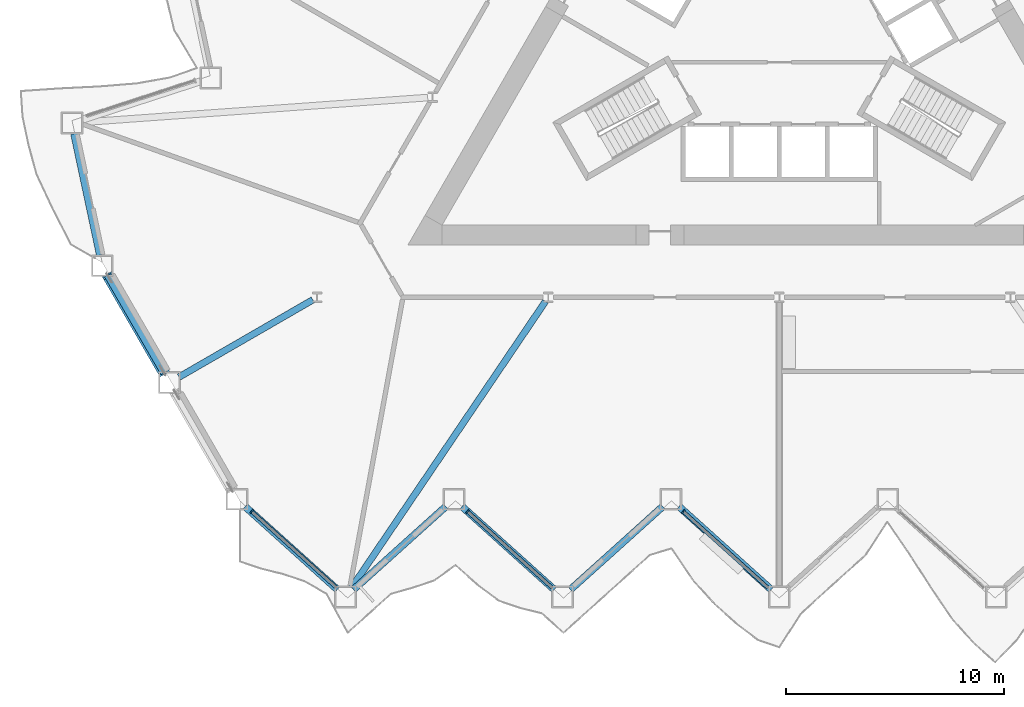
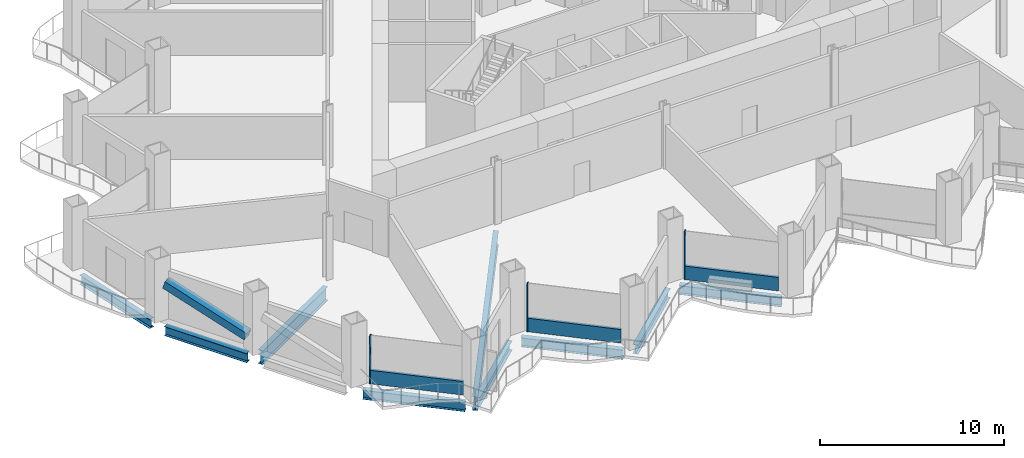
# One storey, part 2 of 21: 9 beams, 7 members, 3 elements without a shape of their own.
"""IFC4 building model written with IfcOpenShell, lengths in metres."""

from ifc_helpers import new_model, si_unit, direction, frame, origin, origin_2d, place, context, subcontext, project, spatial, rectangle, hollow_rectangle, i_section, extrude, material, layer, layer_set, material_profile, profile_set, type_object, element, aggregate, save


model = new_model("IFC4")

# Units and contexts
model_context = context("Model", 3, precision=1e-05, world=origin(), true_north=direction((0.0, 1.0)))
body_context = subcontext(model_context, "Body", "Model", "MODEL_VIEW")
ifc_project = project(units=[si_unit("LENGTHUNIT", "METRE"), si_unit("AREAUNIT", "SQUARE_METRE"), si_unit("VOLUMEUNIT", "CUBIC_METRE"), si_unit("PLANEANGLEUNIT", "RADIAN"), si_unit("MASSUNIT", "GRAM", prefix="KILO")], contexts=[model_context])

# Site, building, storey
site_placement = place(None, origin())
site = spatial("IfcSite", under=ifc_project, at=site_placement, CompositionType="ELEMENT")
building_placement = place(site_placement, origin())
building = spatial("IfcBuilding", under=site, at=building_placement, Name="Cormorant Prow Tower", CompositionType="ELEMENT")
storey_placement = place(building_placement, frame((0.0, 0.0, 80.39990234375)))
storey = spatial("IfcBuildingStorey", under=building, at=storey_placement, Name="L17", CompositionType="ELEMENT", Elevation=80.39990234375)

# Member
ifc_material_1 = material(Name="Structural steel ASTM A500 Gr C", Category="steel")
ifc_material_profile_1 = material_profile(ifc_material_1, hollow_rectangle(XDim=0.508056640625, YDim=0.508056640625, WallThickness=0.014892578125, at=origin_2d()), Name="HSS20x20x5/8")
ifc_profile_set_1 = profile_set([ifc_material_profile_1], Name="Structural steel ASTM A500 Gr C")
member_type_1 = type_object("IfcMemberType", Name="Chamfer brace HSS20x20x5/8", PredefinedType="BRACE", material=ifc_profile_set_1)
member_1_placement = place(storey_placement, frame((-28.174560546875, -15.667724609375, 0.767333984375), z_axis=(-0.475875326044, 0.824258984489, 0.306822099191), x_axis=(-0.866030326616, -0.499991473309, 0.0)))
element("IfcMember", 1, at=member_1_placement, inside=storey, type_object=member_type_1, Name="Chamfer brace BR1 at WSW00 L17", PredefinedType="BRACE", context=body_context, shape_type="SweptSolid", body=[
    extrude(hollow_rectangle(XDim=0.508056640625, YDim=0.508056640625, WallThickness=0.014892578125, at=origin_2d()), origin(), (0.0, 0.0, 1.0), 5.392578125),
])

# Curtain wall, member
ifc_material_2 = material(Name="Aluminium 6063-T6", Category="aluminium")
ifc_layer = layer(ifc_material_2, 0.199951171875)
ifc_layer_set = layer_set([ifc_layer], Name="Aluminium 6063-T6")
curtain_wall_type = type_object("IfcCurtainWallType", Name="Office unitised curtain wall 200", PredefinedType="NOTDEFINED", material=ifc_layer_set)
curtain_wall_1_placement = place(storey_placement, origin())
curtain_wall_1 = element("IfcCurtainWall", 2, at=curtain_wall_1_placement, inside=storey, type_object=curtain_wall_type, Name="Office curtain wall S00", PredefinedType="NOTDEFINED")
ifc_material_3 = material(Name="Aluminium 6063-T6", Category="aluminium")
ifc_material_profile_2 = material_profile(ifc_material_3, rectangle(XDim=0.199951171875, YDim=0.06005859375, at=origin_2d()), Name="Office mullion 60x200")
ifc_profile_set_2 = profile_set([ifc_material_profile_2], Name="Aluminium 6063-T6")
member_type_2 = type_object("IfcMemberType", Name="Office mullion 60x200", PredefinedType="MULLION", material=ifc_profile_set_2)
member_2_placement = place(storey_placement, frame((-24.157470703125, -22.0244140625, 0.0), z_axis=(0.0, 0.0, 1.0), x_axis=(0.669130618499, 0.743144814546, 0.0)))
member_2 = element("IfcMember", 3, at=member_2_placement, type_object=member_type_2, Name="Office mullion S00", PredefinedType="MULLION", context=body_context, shape_type="SweptSolid", body=[
    extrude(rectangle(XDim=0.199951171875, YDim=0.06005859375, at=origin_2d()), origin(), (0.0, 0.0, 1.0), 3.18896484375),
])

curtain_wall_2_placement = place(storey_placement, origin())
curtain_wall_2 = element("IfcCurtainWall", 4, at=curtain_wall_2_placement, inside=storey, type_object=curtain_wall_type, Name="Office curtain wall S02", PredefinedType="NOTDEFINED")
member_3_placement = place(storey_placement, frame((-14.276611328125, -22.0244140625, 0.0), z_axis=(0.0, 0.0, 1.0), x_axis=(0.669130618499, 0.743144814546, 0.0)))
member_3 = element("IfcMember", 5, at=member_3_placement, type_object=member_type_2, Name="Office mullion S02", PredefinedType="MULLION", context=body_context, shape_type="SweptSolid", body=[
    extrude(rectangle(XDim=0.199951171875, YDim=0.06005859375, at=origin_2d()), origin(), (0.0, 0.0, 1.0), 3.18896484375),
])

curtain_wall_3_placement = place(storey_placement, origin())
curtain_wall_3 = element("IfcCurtainWall", 6, at=curtain_wall_3_placement, inside=storey, type_object=curtain_wall_type, Name="Office curtain wall S04", PredefinedType="NOTDEFINED")
member_4_placement = place(storey_placement, frame((-4.395751953125, -22.0244140625, 0.0), z_axis=(0.0, 0.0, 1.0), x_axis=(0.669130618499, 0.743144814546, 0.0)))
member_4 = element("IfcMember", 7, at=member_4_placement, type_object=member_type_2, Name="Office mullion S04", PredefinedType="MULLION", context=body_context, shape_type="SweptSolid", body=[
    extrude(rectangle(XDim=0.199951171875, YDim=0.06005859375, at=origin_2d()), origin(), (0.0, 0.0, 1.0), 3.18896484375),
])

# Member
ifc_material_4 = material(Name="Terracotta", Category="masonry")
ifc_material_profile_3 = material_profile(ifc_material_4, rectangle(XDim=0.159912109375, YDim=0.89990234375, at=origin_2d()), Name="Office terracotta spandrel rail 160x900")
ifc_profile_set_3 = profile_set([ifc_material_profile_3], Name="Terracotta")
member_type_3 = type_object("IfcMemberType", Name="Office terracotta spandrel rail 160x900", PredefinedType="USERDEFINED", material=ifc_profile_set_3)
member_5_placement = place(storey_placement, frame((-24.13525390625, -22.04443359375, 0.4501953125), z_axis=(0.743144202198, -0.669131298581, 0.0), x_axis=(0.669131298581, 0.743144202198, 0.0)))
member_5 = element("IfcMember", 8, at=member_5_placement, type_object=member_type_3, Name="Office spandrel rail S00", ObjectType="TRANSOM", PredefinedType="USERDEFINED", context=body_context, shape_type="SweptSolid", body=[
    extrude(rectangle(XDim=0.159912109375, YDim=0.89990234375, at=origin_2d()), origin(), (0.0, 0.0, 1.0), 5.18212890625),
])

aggregate(curtain_wall_1, [member_2, member_5])

member_6_placement = place(storey_placement, frame((-14.25439453125, -22.04443359375, 0.4501953125), z_axis=(0.743144202198, -0.669131298581, 0.0), x_axis=(0.669131298581, 0.743144202198, 0.0)))
member_6 = element("IfcMember", 9, at=member_6_placement, type_object=member_type_3, Name="Office spandrel rail S02", ObjectType="TRANSOM", PredefinedType="USERDEFINED", context=body_context, shape_type="SweptSolid", body=[
    extrude(rectangle(XDim=0.159912109375, YDim=0.89990234375, at=origin_2d()), origin(), (0.0, 0.0, 1.0), 5.18212890625),
])

aggregate(curtain_wall_2, [member_3, member_6])

member_7_placement = place(storey_placement, frame((-4.37353515625, -22.04443359375, 0.4501953125), z_axis=(0.743144202198, -0.669131298581, 0.0), x_axis=(0.669131298581, 0.743144202198, 0.0)))
member_7 = element("IfcMember", 10, at=member_7_placement, type_object=member_type_3, Name="Office spandrel rail S04", ObjectType="TRANSOM", PredefinedType="USERDEFINED", context=body_context, shape_type="SweptSolid", body=[
    extrude(rectangle(XDim=0.159912109375, YDim=0.89990234375, at=origin_2d()), origin(), (0.0, 0.0, 1.0), 5.18212890625),
])

aggregate(curtain_wall_3, [member_4, member_7])

# Beams
ifc_material_5 = material(Name="Structural steel ASTM A992 Gr 50", Category="steel")
ifc_material_profile_4 = material_profile(ifc_material_5, i_section(OverallWidth=0.3046875, OverallDepth=0.914794921875, WebThickness=0.0166015625, FlangeThickness=0.02587890625, at=origin_2d()), Name="W36x160")
ifc_profile_set_4 = profile_set([ifc_material_profile_4], Name="Structural steel ASTM A992 Gr 50")
beam_type_1 = type_object("IfcBeamType", Name="Radial floor beam W36x160", PredefinedType="BEAM", material=ifc_profile_set_4)
beam_1_placement = place(storey_placement, frame((-21.358154296875, -12.3310546875, -0.857177734375), z_axis=(-0.866014253463, -0.500019312426, 0.0), x_axis=(0.500019312426, -0.866014253463, 0.0)))
element("IfcBeam", 11, at=beam_1_placement, inside=storey, type_object=beam_type_1, Name="Radial floor beam FB1 5 L17", PredefinedType="BEAM", context=body_context, shape_type="SweptSolid", body=[
    extrude(i_section(OverallWidth=0.3046875, OverallDepth=0.914794921875, WebThickness=0.0166015625, FlangeThickness=0.02587890625, at=origin_2d()), origin(), (0.0, 0.0, 1.0), 7.071533203125),
])
beam_2_placement = place(storey_placement, frame((-10.708740234375, -12.4072265625, -0.857177734375), z_axis=(-0.560597160775, -0.828088656685, 0.0), x_axis=(0.828088656685, -0.560597160775, 0.0)))
element("IfcBeam", 12, at=beam_2_placement, inside=storey, type_object=beam_type_1, Name="Radial floor beam FB1 6 L17", PredefinedType="BEAM", context=body_context, shape_type="SweptSolid", body=[
    extrude(i_section(OverallWidth=0.3046875, OverallDepth=0.914794921875, WebThickness=0.0166015625, FlangeThickness=0.02587890625, at=origin_2d()), origin(), (0.0, 0.0, 1.0), 15.831787109375),
])
ifc_material_6 = material(Name="Structural steel ASTM A992 Gr 50", Category="steel")
ifc_material_profile_5 = material_profile(ifc_material_6, i_section(OverallWidth=0.32373046875, OverallDepth=0.611083984375, WebThickness=0.0126953125, FlangeThickness=0.01904296875, at=origin_2d()), Name="W24x104")
ifc_profile_set_5 = profile_set([ifc_material_profile_5], Name="Structural steel ASTM A992 Gr 50")
beam_type_2 = type_object("IfcBeamType", Name="Spandrel beam W24x104", PredefinedType="SPANDREL", material=ifc_profile_set_5)
for number, where, z_axis, x_axis, name in (
    (13, (-24.458740234375, -21.79443359375, -0.70556640625), (0.743129630386, -0.669147481833, 0.0), (0.669147481833, 0.743129630386, 0.0), "Spandrel beam SB1 S00-S01 L17"),
    (14, (-19.49267578125, -25.596923828125, -0.70556640625), (0.743129630386, 0.669147481833, 0.0), (-0.669147481833, 0.743129630386, 0.0), "Spandrel beam SB1 S01-S02 L17"),
    (15, (-14.526611328125, -21.79443359375, -0.70556640625), (0.743129630386, -0.669147481833, 0.0), (0.669147481833, 0.743129630386, 0.0), "Spandrel beam SB1 S02-S03 L17"),
    (16, (-9.560546875, -25.596923828125, -0.70556640625), (0.743129630386, 0.669147481833, 0.0), (-0.669147481833, 0.743129630386, 0.0), "Spandrel beam SB1 S03-S04 L17"),
    (17, (-4.594482421875, -21.79443359375, -0.70556640625), (0.743129630386, -0.669147481833, 0.0), (0.669147481833, 0.743129630386, 0.0), "Spandrel beam SB1 S04-S05 L17"),
    (18, (-32.285400390625, -4.726318359375, -0.70556640625), (0.207900376723, -0.97815000555, 0.0), (0.97815000555, 0.207900376723, 0.0), "Spandrel beam SB1 WNW09-WSW00 L17"),
):
    element("IfcBeam", number, at=place(storey_placement, frame(where, z_axis=z_axis, x_axis=x_axis)), inside=storey, type_object=beam_type_2, Name=name, PredefinedType="SPANDREL", context=body_context, shape_type="SweptSolid", body=[
        extrude(i_section(OverallWidth=0.32373046875, OverallDepth=0.611083984375, WebThickness=0.0126953125, FlangeThickness=0.01904296875, at=origin_2d()), origin(), (0.0, 0.0, 1.0), 5.6826171875),
    ])
beam_3_placement = place(storey_placement, frame((-30.75, -11.206787109375, -0.70556640625), z_axis=(0.49998408811, -0.866034590324, 0.0), x_axis=(0.866034590324, 0.49998408811, 0.0)))
element("IfcBeam", 19, at=beam_3_placement, inside=storey, type_object=beam_type_2, Name="Spandrel beam SB1 WSW00-WSW01 L17", PredefinedType="SPANDREL", context=body_context, shape_type="SweptSolid", body=[
    extrude(i_section(OverallWidth=0.32373046875, OverallDepth=0.611083984375, WebThickness=0.0126953125, FlangeThickness=0.01904296875, at=origin_2d()), origin(), (0.0, 0.0, 1.0), 5.169677734375),
])

save(model, "model.ifc")
